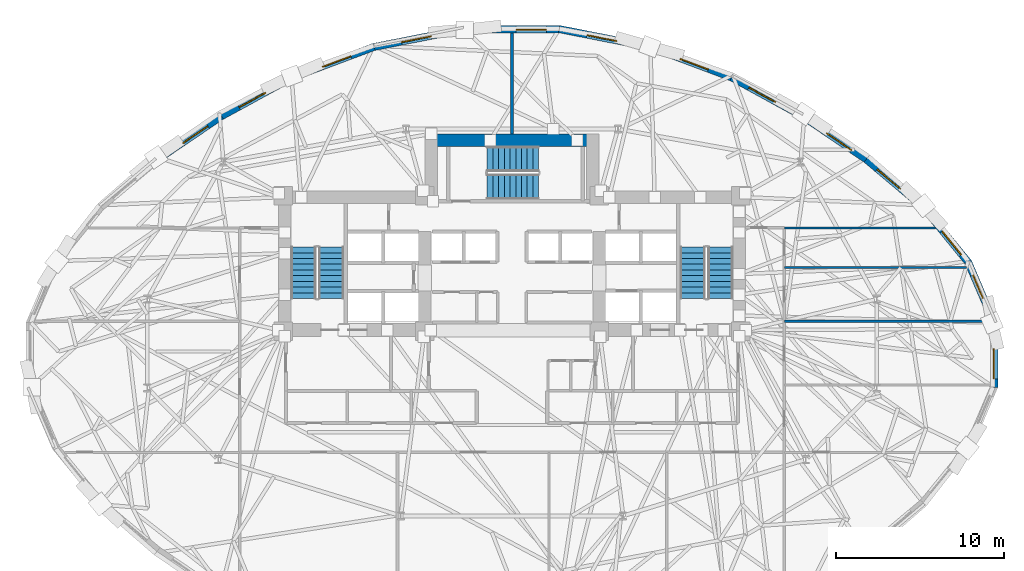
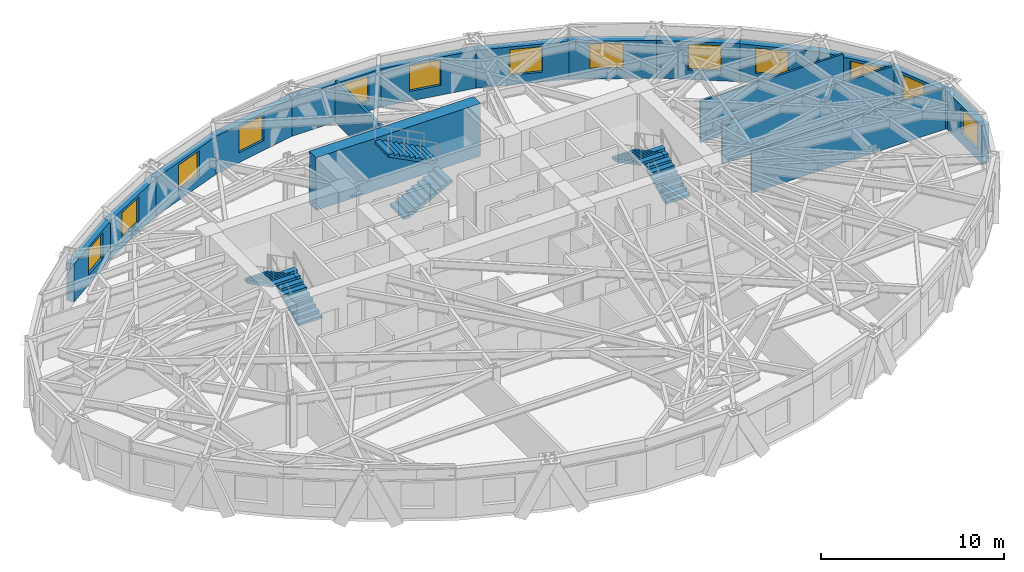
# One storey, part 10 of 14: 18 walls, 13 windows, 6 stair flights, 13 openings, 3 elements without a shape of their own.
"""IFC4 building model written with IfcOpenShell, lengths in metres."""

from ifc_helpers import new_model, si_unit, direction, frame, frame_2d, origin, place, context, subcontext, project, spatial, polyline, rectangle, outline, extrude, material, layer, layer_set, type_object, element, fill, aggregate, save


model = new_model("IFC4")

# Units and contexts
model_context = context("Model", 3, precision=1e-05, world=origin(), true_north=direction((0.0, 1.0)))
body_context = subcontext(model_context, "Body", "Model", "MODEL_VIEW")
ifc_project = project(units=[si_unit("LENGTHUNIT", "METRE"), si_unit("AREAUNIT", "SQUARE_METRE"), si_unit("VOLUMEUNIT", "CUBIC_METRE"), si_unit("PLANEANGLEUNIT", "RADIAN"), si_unit("MASSUNIT", "GRAM", prefix="KILO")], contexts=[model_context])

# Site, building, storey
site_placement = place(None, origin())
site = spatial("IfcSite", under=ifc_project, at=site_placement, CompositionType="ELEMENT")
building_placement = place(site_placement, origin())
building = spatial("IfcBuilding", under=site, at=building_placement, Name="Keldmark Tower", CompositionType="ELEMENT")
storey_placement = place(building_placement, frame((0.0, 0.0, 89.60009765625)))
storey = spatial("IfcBuildingStorey", under=building, at=storey_placement, Name="L23", CompositionType="ELEMENT", Elevation=89.60009765625)

# Walls
ifc_material_1 = material(Name="STC-58 Insulated Tenant Demising Gypsum Partition", Category="gypsum")
ifc_layer_1 = layer(ifc_material_1, 0.175048828125)
ifc_layer_set_1 = layer_set([ifc_layer_1], Name="STC-58 Insulated Tenant Demising Gypsum Partition")
wall_type_1 = type_object("IfcWallType", Name="Demising Suite Partition 175 mm", PredefinedType="PARTITIONING", material=ifc_layer_set_1)
wall_1_placement = place(storey_placement, frame((0.0, 13.14990234375, 0.0), z_axis=(0.0, 0.0, 1.0), x_axis=(0.0, 1.0, 0.0)))
element("IfcWall", 1, at=wall_1_placement, inside=storey, type_object=wall_type_1, Name="L23 Demising Suite Partition 175 mm N-MID-DIV", PredefinedType="PARTITIONING", context=body_context, shape_type="SweptSolid", body=[
    extrude(rectangle(XDim=5.998046875, YDim=0.175048828125, at=frame_2d((2.9990234375, 0.0))), origin(), (0.0, 0.0, 1.0), 2.762939453125),
])
ifc_material_2 = material(Name="Acoustic Gypsum Board Interior Partition", Category="gypsum")
ifc_layer_2 = layer(ifc_material_2, 0.1298828125)
ifc_layer_set_2 = layer_set([ifc_layer_2], Name="Acoustic Gypsum Board Interior Partition")
wall_type_2 = type_object("IfcWallType", Name="Interior Partition 130 mm", PredefinedType="PARTITIONING", material=ifc_layer_set_2)
wall_2_placement = place(storey_placement, frame((16.199951171875, 7.550048828125, 0.0), z_axis=(0.0, 0.0, 1.0), x_axis=(1.0, 0.0, 0.0)))
element("IfcWall", 2, at=wall_2_placement, inside=storey, type_object=wall_type_2, Name="L23 Interior Partition 130 mm E-CAP-N", PredefinedType="PARTITIONING", context=body_context, shape_type="SweptSolid", body=[
    extrude(rectangle(XDim=8.97802734375, YDim=0.1298828125, at=frame_2d((4.489013671875, 0.0))), origin(), (0.0, 0.0, 1.0), 2.762939453125),
])
wall_3_placement = place(storey_placement, frame((16.199951171875, 2.0, 0.0), z_axis=(0.0, 0.0, 1.0), x_axis=(1.0, 0.0, 0.0)))
element("IfcWall", 3, at=wall_3_placement, inside=storey, type_object=wall_type_2, Name="L23 Interior Partition 130 mm E-DIV-2", PredefinedType="PARTITIONING", context=body_context, shape_type="SweptSolid", body=[
    extrude(rectangle(XDim=12.1923828125, YDim=0.1298828125, at=frame_2d((6.09619140625, 0.0))), origin(), (0.0, 0.0, 1.0), 2.7509765625),
])
wall_4_placement = place(storey_placement, frame((16.199951171875, 5.199951171875, 0.0), z_axis=(0.0, 0.0, 1.0), x_axis=(1.0, 0.0, 0.0)))
element("IfcWall", 4, at=wall_4_placement, inside=storey, type_object=wall_type_2, Name="L23 Interior Partition 130 mm E-DIV-3", PredefinedType="PARTITIONING", context=body_context, shape_type="SweptSolid", body=[
    extrude(rectangle(XDim=10.82177734375, YDim=0.1298828125, at=frame_2d((5.410888671875, 0.0))), origin(), (0.0, 0.0, 1.0), 2.762939453125),
])
ifc_material_3 = material(Name="Concrete C70/85", Category="concrete")
ifc_layer_3 = layer(ifc_material_3, 0.75)
ifc_layer_set_3 = layer_set([ifc_layer_3], Name="Concrete C70/85")
wall_type_3 = type_object("IfcWallType", Name="Low-Mid Core Shear Wall 750 mm", PredefinedType="SHEAR", material=ifc_layer_set_3)
wall_5_placement = place(storey_placement, frame((-5.175048828125, 12.77490234375, 0.0), z_axis=(0.0, 0.0, 1.0), x_axis=(1.0, 0.0, 0.0)))
element("IfcWall", 5, at=wall_5_placement, inside=storey, type_object=wall_type_3, Name="L23 North Core Shear Wall", PredefinedType="SHEAR", context=body_context, shape_type="SweptSolid", body=[
    extrude(rectangle(XDim=10.35009765625, YDim=0.75, at=frame_2d((5.175048828125, 0.0))), origin(), (0.0, 0.0, 1.0), 3.5),
])

# Wall, opening, window
ifc_material_4 = material(Name="Ironspot Manganese Brick and Kasota Buff Limestone Spandrel Assembly", Category="masonry")
ifc_layer_4 = layer(ifc_material_4, 0.43994140625)
ifc_layer_set_4 = layer_set([ifc_layer_4], Name="Ironspot Manganese Brick and Kasota Buff Limestone Spandrel Assembly")
wall_type_4 = type_object("IfcWallType", Name="Tower Brick Pier and Spandrel Wall 440 mm", PredefinedType="STANDARD", material=ifc_layer_set_4)
wall_6_placement = place(storey_placement, frame((27.127197265625, 5.53271484375, 0.0), z_axis=(0.0, 0.0, 1.0), x_axis=(0.393757776232, -0.919214237083, 0.0)))
wall_6 = element("IfcWall", 6, at=wall_6_placement, inside=storey, type_object=wall_type_4, Name="L23 Exterior Brick and Spandrel Wall 01", PredefinedType="STANDARD", context=body_context, shape_type="SweptSolid", body=[
    extrude(rectangle(XDim=4.013427734375, YDim=0.43994140625, at=frame_2d((2.0068359375, 0.0))), origin(), (0.0, 0.0, 1.0), 2.52783203125),
])
opening_1_placement = place(wall_6_placement, frame((0.839111328125, 0.0, 0.64990234375)))
opening_1 = element("IfcOpeningElement", 7, at=opening_1_placement, cuts=wall_6, Name="Opening W-03", PredefinedType="OPENING", context=body_context, shape_type="SweptSolid", body=[
    extrude(rectangle(XDim=1.5, YDim=1.699951171875, at=frame_2d((0.75, 0.85009765625))), frame((0.0, 0.22998046875, 0.0), z_axis=(0.0, -1.0, 0.0), x_axis=(1.0, 0.0, 0.0)), (0.0, 0.0, 1.0), 0.4599609375),
])
ifc_material_5 = material(Name="Thermally Broken Anodized Aluminum and Triple Low-E Argon Glazing", Category="aluminium")
window_type_1 = type_object("IfcWindowType", Name="Office Corner Deep-Set Window 1500x1700", PartitioningType="DOUBLE_PANEL_VERTICAL", PredefinedType="WINDOW", material=ifc_material_5)
window_1_placement = place(opening_1_placement, origin())
window_1 = element("IfcWindow", 8, at=window_1_placement, inside=storey, type_object=window_type_1, Name="L23 Deep-Set Window 01", OverallHeight=1.699951171875, OverallWidth=1.5, PartitioningType="SINGLE_PANEL", PredefinedType="WINDOW", context=body_context, shape_type="SweptSolid", body=[
    extrude(rectangle(XDim=1.5, YDim=1.699951171875, at=frame_2d((0.75, 0.85009765625))), frame((0.0, -0.010009765625, 0.0), z_axis=(0.0, -1.0, 0.0), x_axis=(1.0, 0.0, 0.0)), (0.0, 0.0, 1.0), 0.06005859375),
])
fill(opening_1, window_1)

wall_7_placement = place(storey_placement, frame((24.46435546875, 8.78662109375, 0.0), z_axis=(0.0, 0.0, 1.0), x_axis=(0.631768505266, -0.775157116818, 0.0)))
wall_7 = element("IfcWall", 9, at=wall_7_placement, inside=storey, type_object=wall_type_4, Name="L23 Exterior Brick and Spandrel Wall 02", PredefinedType="STANDARD", context=body_context, shape_type="SweptSolid", body=[
    extrude(rectangle(XDim=4.26513671875, YDim=0.43994140625, at=frame_2d((2.132568359375, 0.0))), origin(), (0.0, 0.0, 1.0), 2.52783203125),
])
opening_2_placement = place(wall_7_placement, frame((1.822509765625, 0.0, 0.64990234375)))
opening_2 = element("IfcOpeningElement", 10, at=opening_2_placement, cuts=wall_7, Name="Opening W-02", PredefinedType="OPENING", context=body_context, shape_type="SweptSolid", body=[
    extrude(rectangle(XDim=1.800048828125, YDim=1.699951171875, at=frame_2d((0.89990234375, 0.85009765625))), frame((0.0, 0.22998046875, 0.0), z_axis=(0.0, -1.0, 0.0), x_axis=(1.0, 0.0, 0.0)), (0.0, 0.0, 1.0), 0.4599609375),
])
ifc_material_6 = material(Name="Thermally Broken Anodized Aluminum and Triple Low-E Argon Glazing", Category="aluminium")
window_type_2 = type_object("IfcWindowType", Name="Office Deep-Set Triple Window 1800x1700", PartitioningType="TRIPLE_PANEL_VERTICAL", PredefinedType="WINDOW", material=ifc_material_6)
window_2_placement = place(opening_2_placement, origin())
window_2 = element("IfcWindow", 11, at=window_2_placement, inside=storey, type_object=window_type_2, Name="L23 Deep-Set Window 02", OverallHeight=1.699951171875, OverallWidth=1.800048828125, PartitioningType="SINGLE_PANEL", PredefinedType="WINDOW", context=body_context, shape_type="SweptSolid", body=[
    extrude(rectangle(XDim=1.800048828125, YDim=1.699951171875, at=frame_2d((0.89990234375, 0.85009765625))), frame((0.0, -0.010009765625, 0.0), z_axis=(0.0, -1.0, 0.0), x_axis=(1.0, 0.0, 0.0)), (0.0, 0.0, 1.0), 0.06005859375),
])
fill(opening_2, window_2)

wall_8_placement = place(storey_placement, frame((21.072021484375, 11.63232421875, 0.0), z_axis=(0.0, 0.0, 1.0), x_axis=(0.765563867956, -0.643359902449, 0.0)))
wall_8 = element("IfcWall", 12, at=wall_8_placement, inside=storey, type_object=wall_type_4, Name="L23 Exterior Brick and Spandrel Wall 03", PredefinedType="STANDARD", context=body_context, shape_type="SweptSolid", body=[
    extrude(rectangle(XDim=4.468994140625, YDim=0.43994140625, at=frame_2d((2.234375, 0.0))), origin(), (0.0, 0.0, 1.0), 2.52783203125),
])
opening_3_placement = place(wall_8_placement, frame((0.890625, 0.0, 0.64990234375)))
opening_3 = element("IfcOpeningElement", 13, at=opening_3_placement, cuts=wall_8, Name="Opening W-02", PredefinedType="OPENING", context=body_context, shape_type="SweptSolid", body=[
    extrude(rectangle(XDim=1.800048828125, YDim=1.699951171875, at=frame_2d((0.89990234375, 0.85009765625))), frame((0.0, 0.22998046875, 0.0), z_axis=(0.0, -1.0, 0.0), x_axis=(1.0, 0.0, 0.0)), (0.0, 0.0, 1.0), 0.4599609375),
])
window_3_placement = place(opening_3_placement, origin())
window_3 = element("IfcWindow", 14, at=window_3_placement, inside=storey, type_object=window_type_2, Name="L23 Deep-Set Window 03", OverallHeight=1.699951171875, OverallWidth=1.800048828125, PartitioningType="SINGLE_PANEL", PredefinedType="WINDOW", context=body_context, shape_type="SweptSolid", body=[
    extrude(rectangle(XDim=1.800048828125, YDim=1.699951171875, at=frame_2d((0.89990234375, 0.85009765625))), frame((0.0, -0.010009765625, 0.0), z_axis=(0.0, -1.0, 0.0), x_axis=(1.0, 0.0, 0.0)), (0.0, 0.0, 1.0), 0.06005859375),
])
fill(opening_3, window_3)

wall_9_placement = place(storey_placement, frame((17.2861328125, 14.197265625, 0.0), z_axis=(0.0, 0.0, 1.0), x_axis=(0.827742791179, -0.561107718403, 0.0)))
wall_9 = element("IfcWall", 15, at=wall_9_placement, inside=storey, type_object=wall_type_4, Name="L23 Exterior Brick and Spandrel Wall 04", PredefinedType="STANDARD", context=body_context, shape_type="SweptSolid", body=[
    extrude(rectangle(XDim=4.595458984375, YDim=0.43994140625, at=frame_2d((2.2978515625, 0.0))), origin(), (0.0, 0.0, 1.0), 2.52783203125),
])
opening_4_placement = place(wall_9_placement, frame((1.7470703125, 0.0, 0.64990234375)))
opening_4 = element("IfcOpeningElement", 16, at=opening_4_placement, cuts=wall_9, Name="Opening W-02", PredefinedType="OPENING", context=body_context, shape_type="SweptSolid", body=[
    extrude(rectangle(XDim=1.800048828125, YDim=1.699951171875, at=frame_2d((0.89990234375, 0.85009765625))), frame((0.0, 0.22998046875, 0.0), z_axis=(0.0, -1.0, 0.0), x_axis=(1.0, 0.0, 0.0)), (0.0, 0.0, 1.0), 0.4599609375),
])
window_4_placement = place(opening_4_placement, origin())
window_4 = element("IfcWindow", 17, at=window_4_placement, inside=storey, type_object=window_type_2, Name="L23 Deep-Set Window 04", OverallHeight=1.699951171875, OverallWidth=1.800048828125, PartitioningType="SINGLE_PANEL", PredefinedType="WINDOW", context=body_context, shape_type="SweptSolid", body=[
    extrude(rectangle(XDim=1.800048828125, YDim=1.699951171875, at=frame_2d((0.89990234375, 0.85009765625))), frame((0.0, -0.010009765625, 0.0), z_axis=(0.0, -1.0, 0.0), x_axis=(1.0, 0.0, 0.0)), (0.0, 0.0, 1.0), 0.06005859375),
])
fill(opening_4, window_4)

wall_10_placement = place(storey_placement, frame((13.06201171875, 16.50537109375, 0.0), z_axis=(0.0, 0.0, 1.0), x_axis=(0.877445532469, -0.479676284123, 0.0)))
wall_10 = element("IfcWall", 18, at=wall_10_placement, inside=storey, type_object=wall_type_4, Name="L23 Exterior Brick and Spandrel Wall 05", PredefinedType="STANDARD", context=body_context, shape_type="SweptSolid", body=[
    extrude(rectangle(XDim=4.834716796875, YDim=0.43994140625, at=frame_2d((2.41748046875, 0.0))), origin(), (0.0, 0.0, 1.0), 2.52783203125),
])
opening_5_placement = place(wall_10_placement, frame((1.194091796875, 0.0, 0.64990234375)))
opening_5 = element("IfcOpeningElement", 19, at=opening_5_placement, cuts=wall_10, Name="Opening W-02", PredefinedType="OPENING", context=body_context, shape_type="SweptSolid", body=[
    extrude(rectangle(XDim=1.800048828125, YDim=1.699951171875, at=frame_2d((0.89990234375, 0.85009765625))), frame((0.0, 0.22998046875, 0.0), z_axis=(0.0, -1.0, 0.0), x_axis=(1.0, 0.0, 0.0)), (0.0, 0.0, 1.0), 0.4599609375),
])
window_5_placement = place(opening_5_placement, origin())
window_5 = element("IfcWindow", 20, at=window_5_placement, inside=storey, type_object=window_type_2, Name="L23 Deep-Set Window 05", OverallHeight=1.699951171875, OverallWidth=1.800048828125, PartitioningType="SINGLE_PANEL", PredefinedType="WINDOW", context=body_context, shape_type="SweptSolid", body=[
    extrude(rectangle(XDim=1.800048828125, YDim=1.699951171875, at=frame_2d((0.89990234375, 0.85009765625))), frame((0.0, -0.010009765625, 0.0), z_axis=(0.0, -1.0, 0.0), x_axis=(1.0, 0.0, 0.0)), (0.0, 0.0, 1.0), 0.06005859375),
])
fill(opening_5, window_5)

wall_11_placement = place(storey_placement, frame((8.213134765625, 18.31884765625, 0.0), z_axis=(0.0, 0.0, 1.0), x_axis=(0.936473584013, -0.350738116613, 0.0)))
wall_11 = element("IfcWall", 21, at=wall_11_placement, inside=storey, type_object=wall_type_4, Name="L23 Exterior Brick and Spandrel Wall 06", PredefinedType="STANDARD", context=body_context, shape_type="SweptSolid", body=[
    extrude(rectangle(XDim=5.2080078125, YDim=0.43994140625, at=frame_2d((2.60400390625, 0.0))), origin(), (0.0, 0.0, 1.0), 2.52783203125),
])
opening_6_placement = place(wall_11_placement, frame((1.926025390625, 0.0, 0.64990234375)))
opening_6 = element("IfcOpeningElement", 22, at=opening_6_placement, cuts=wall_11, Name="Opening W-02", PredefinedType="OPENING", context=body_context, shape_type="SweptSolid", body=[
    extrude(rectangle(XDim=1.800048828125, YDim=1.699951171875, at=frame_2d((0.89990234375, 0.85009765625))), frame((0.0, 0.22998046875, 0.0), z_axis=(0.0, -1.0, 0.0), x_axis=(1.0, 0.0, 0.0)), (0.0, 0.0, 1.0), 0.4599609375),
])
window_6_placement = place(opening_6_placement, origin())
window_6 = element("IfcWindow", 23, at=window_6_placement, inside=storey, type_object=window_type_2, Name="L23 Deep-Set Window 06", OverallHeight=1.699951171875, OverallWidth=1.800048828125, PartitioningType="SINGLE_PANEL", PredefinedType="WINDOW", context=body_context, shape_type="SweptSolid", body=[
    extrude(rectangle(XDim=1.800048828125, YDim=1.699951171875, at=frame_2d((0.89990234375, 0.85009765625))), frame((0.0, -0.010009765625, 0.0), z_axis=(0.0, -1.0, 0.0), x_axis=(1.0, 0.0, 0.0)), (0.0, 0.0, 1.0), 0.06005859375),
])
fill(opening_6, window_6)

wall_12_placement = place(storey_placement, frame((2.8046875, 19.3798828125, 0.0), z_axis=(0.0, 0.0, 1.0), x_axis=(0.981185300561, -0.19306839711, 0.0)))
wall_12 = element("IfcWall", 24, at=wall_12_placement, inside=storey, type_object=wall_type_4, Name="L23 Exterior Brick and Spandrel Wall 07", PredefinedType="STANDARD", context=body_context, shape_type="SweptSolid", body=[
    extrude(rectangle(XDim=5.547607421875, YDim=0.43994140625, at=frame_2d((2.77392578125, 0.0))), origin(), (0.0, 0.0, 1.0), 2.52783203125),
])
opening_7_placement = place(wall_12_placement, frame((1.69873046875, 0.0, 0.64990234375)))
opening_7 = element("IfcOpeningElement", 25, at=opening_7_placement, cuts=wall_12, Name="Opening W-02", PredefinedType="OPENING", context=body_context, shape_type="SweptSolid", body=[
    extrude(rectangle(XDim=1.800048828125, YDim=1.699951171875, at=frame_2d((0.89990234375, 0.85009765625))), frame((0.0, 0.22998046875, 0.0), z_axis=(0.0, -1.0, 0.0), x_axis=(1.0, 0.0, 0.0)), (0.0, 0.0, 1.0), 0.4599609375),
])
window_7_placement = place(opening_7_placement, origin())
window_7 = element("IfcWindow", 26, at=window_7_placement, inside=storey, type_object=window_type_2, Name="L23 Deep-Set Window 07", OverallHeight=1.699951171875, OverallWidth=1.800048828125, PartitioningType="SINGLE_PANEL", PredefinedType="WINDOW", context=body_context, shape_type="SweptSolid", body=[
    extrude(rectangle(XDim=1.800048828125, YDim=1.699951171875, at=frame_2d((0.89990234375, 0.85009765625))), frame((0.0, -0.010009765625, 0.0), z_axis=(0.0, -1.0, 0.0), x_axis=(1.0, 0.0, 0.0)), (0.0, 0.0, 1.0), 0.06005859375),
])
fill(opening_7, window_7)

wall_13_placement = place(storey_placement, frame((-2.847412109375, 19.3759765625, 0.0), z_axis=(0.0, 0.0, 1.0), x_axis=(1.0, 0.0, 0.0)))
wall_13 = element("IfcWall", 27, at=wall_13_placement, inside=storey, type_object=wall_type_4, Name="L23 Exterior Brick and Spandrel Wall 08", PredefinedType="STANDARD", context=body_context, shape_type="SweptSolid", body=[
    extrude(rectangle(XDim=5.69482421875, YDim=0.43994140625, at=frame_2d((2.847412109375, 0.0))), origin(), (0.0, 0.0, 1.0), 2.52783203125),
])
opening_8_placement = place(wall_13_placement, frame((3.095458984375, 0.0, 0.64990234375)))
opening_8 = element("IfcOpeningElement", 28, at=opening_8_placement, cuts=wall_13, Name="Opening W-02", PredefinedType="OPENING", context=body_context, shape_type="SweptSolid", body=[
    extrude(rectangle(XDim=1.800048828125, YDim=1.699951171875, at=frame_2d((0.89990234375, 0.85009765625))), frame((0.0, 0.22998046875, 0.0), z_axis=(0.0, -1.0, 0.0), x_axis=(1.0, 0.0, 0.0)), (0.0, 0.0, 1.0), 0.4599609375),
])
window_8_placement = place(opening_8_placement, origin())
window_8 = element("IfcWindow", 29, at=window_8_placement, inside=storey, type_object=window_type_2, Name="L23 Deep-Set Window 08", OverallHeight=1.699951171875, OverallWidth=1.800048828125, PartitioningType="SINGLE_PANEL", PredefinedType="WINDOW", context=body_context, shape_type="SweptSolid", body=[
    extrude(rectangle(XDim=1.800048828125, YDim=1.699951171875, at=frame_2d((0.89990234375, 0.85009765625))), frame((0.0, -0.010009765625, 0.0), z_axis=(0.0, -1.0, 0.0), x_axis=(1.0, 0.0, 0.0)), (0.0, 0.0, 1.0), 0.06005859375),
])
fill(opening_8, window_8)

wall_14_placement = place(storey_placement, frame((-8.247802734375, 18.308837890625, 0.0), z_axis=(0.0, 0.0, 1.0), x_axis=(0.981185300561, 0.19306839711, 0.0)))
wall_14 = element("IfcWall", 30, at=wall_14_placement, inside=storey, type_object=wall_type_4, Name="L23 Exterior Brick and Spandrel Wall 09", PredefinedType="STANDARD", context=body_context, shape_type="SweptSolid", body=[
    extrude(rectangle(XDim=5.547607421875, YDim=0.43994140625, at=frame_2d((2.77392578125, 0.0))), origin(), (0.0, 0.0, 1.0), 2.52783203125),
])
opening_9_placement = place(wall_14_placement, frame((1.69873046875, 0.0, 0.64990234375)))
opening_9 = element("IfcOpeningElement", 31, at=opening_9_placement, cuts=wall_14, Name="Opening W-02", PredefinedType="OPENING", context=body_context, shape_type="SweptSolid", body=[
    extrude(rectangle(XDim=1.800048828125, YDim=1.699951171875, at=frame_2d((0.89990234375, 0.85009765625))), frame((0.0, 0.22998046875, 0.0), z_axis=(0.0, -1.0, 0.0), x_axis=(1.0, 0.0, 0.0)), (0.0, 0.0, 1.0), 0.4599609375),
])
window_9_placement = place(opening_9_placement, origin())
window_9 = element("IfcWindow", 32, at=window_9_placement, inside=storey, type_object=window_type_2, Name="L23 Deep-Set Window 09", OverallHeight=1.699951171875, OverallWidth=1.800048828125, PartitioningType="SINGLE_PANEL", PredefinedType="WINDOW", context=body_context, shape_type="SweptSolid", body=[
    extrude(rectangle(XDim=1.800048828125, YDim=1.699951171875, at=frame_2d((0.89990234375, 0.85009765625))), frame((0.0, -0.010009765625, 0.0), z_axis=(0.0, -1.0, 0.0), x_axis=(1.0, 0.0, 0.0)), (0.0, 0.0, 1.0), 0.06005859375),
])
fill(opening_9, window_9)

wall_15_placement = place(storey_placement, frame((-13.09033203125, 16.4921875, 0.0), z_axis=(0.0, 0.0, 1.0), x_axis=(0.936473584013, 0.350738116613, 0.0)))
wall_15 = element("IfcWall", 33, at=wall_15_placement, inside=storey, type_object=wall_type_4, Name="L23 Exterior Brick and Spandrel Wall 10", PredefinedType="STANDARD", context=body_context, shape_type="SweptSolid", body=[
    extrude(rectangle(XDim=5.2080078125, YDim=0.43994140625, at=frame_2d((2.60400390625, 0.0))), origin(), (0.0, 0.0, 1.0), 2.52783203125),
])
opening_10_placement = place(wall_15_placement, frame((1.926025390625, 0.0, 0.64990234375)))
opening_10 = element("IfcOpeningElement", 34, at=opening_10_placement, cuts=wall_15, Name="Opening W-02", PredefinedType="OPENING", context=body_context, shape_type="SweptSolid", body=[
    extrude(rectangle(XDim=1.800048828125, YDim=1.699951171875, at=frame_2d((0.89990234375, 0.85009765625))), frame((0.0, 0.22998046875, 0.0), z_axis=(0.0, -1.0, 0.0), x_axis=(1.0, 0.0, 0.0)), (0.0, 0.0, 1.0), 0.4599609375),
])
window_10_placement = place(opening_10_placement, origin())
window_10 = element("IfcWindow", 35, at=window_10_placement, inside=storey, type_object=window_type_2, Name="L23 Deep-Set Window 10", OverallHeight=1.699951171875, OverallWidth=1.800048828125, PartitioningType="SINGLE_PANEL", PredefinedType="WINDOW", context=body_context, shape_type="SweptSolid", body=[
    extrude(rectangle(XDim=1.800048828125, YDim=1.699951171875, at=frame_2d((0.89990234375, 0.85009765625))), frame((0.0, -0.010009765625, 0.0), z_axis=(0.0, -1.0, 0.0), x_axis=(1.0, 0.0, 0.0)), (0.0, 0.0, 1.0), 0.06005859375),
])
fill(opening_10, window_10)

wall_16_placement = place(storey_placement, frame((-17.30419921875, 14.186279296875, 0.0), z_axis=(0.0, 0.0, 1.0), x_axis=(0.877445532469, 0.479676284123, 0.0)))
wall_16 = element("IfcWall", 36, at=wall_16_placement, inside=storey, type_object=wall_type_4, Name="L23 Exterior Brick and Spandrel Wall 11", PredefinedType="STANDARD", context=body_context, shape_type="SweptSolid", body=[
    extrude(rectangle(XDim=4.834716796875, YDim=0.43994140625, at=frame_2d((2.41748046875, 0.0))), origin(), (0.0, 0.0, 1.0), 2.52783203125),
])
opening_11_placement = place(wall_16_placement, frame((1.194091796875, 0.0, 0.64990234375)))
opening_11 = element("IfcOpeningElement", 37, at=opening_11_placement, cuts=wall_16, Name="Opening W-02", PredefinedType="OPENING", context=body_context, shape_type="SweptSolid", body=[
    extrude(rectangle(XDim=1.800048828125, YDim=1.699951171875, at=frame_2d((0.89990234375, 0.85009765625))), frame((0.0, 0.22998046875, 0.0), z_axis=(0.0, -1.0, 0.0), x_axis=(1.0, 0.0, 0.0)), (0.0, 0.0, 1.0), 0.4599609375),
])
window_11_placement = place(opening_11_placement, origin())
window_11 = element("IfcWindow", 38, at=window_11_placement, inside=storey, type_object=window_type_2, Name="L23 Deep-Set Window 11", OverallHeight=1.699951171875, OverallWidth=1.800048828125, PartitioningType="SINGLE_PANEL", PredefinedType="WINDOW", context=body_context, shape_type="SweptSolid", body=[
    extrude(rectangle(XDim=1.800048828125, YDim=1.699951171875, at=frame_2d((0.89990234375, 0.85009765625))), frame((0.0, -0.010009765625, 0.0), z_axis=(0.0, -1.0, 0.0), x_axis=(1.0, 0.0, 0.0)), (0.0, 0.0, 1.0), 0.06005859375),
])
fill(opening_11, window_11)

wall_17_placement = place(storey_placement, frame((-21.090087890625, 11.61865234375, 0.0), z_axis=(0.0, 0.0, 1.0), x_axis=(0.827742791179, 0.561107718403, 0.0)))
wall_17 = element("IfcWall", 39, at=wall_17_placement, inside=storey, type_object=wall_type_4, Name="L23 Exterior Brick and Spandrel Wall 12", PredefinedType="STANDARD", context=body_context, shape_type="SweptSolid", body=[
    extrude(rectangle(XDim=4.595458984375, YDim=0.43994140625, at=frame_2d((2.2978515625, 0.0))), origin(), (0.0, 0.0, 1.0), 2.52783203125),
])
opening_12_placement = place(wall_17_placement, frame((1.797119140625, 0.0, 0.64990234375)))
opening_12 = element("IfcOpeningElement", 40, at=opening_12_placement, cuts=wall_17, Name="Opening W-02", PredefinedType="OPENING", context=body_context, shape_type="SweptSolid", body=[
    extrude(rectangle(XDim=1.800048828125, YDim=1.699951171875, at=frame_2d((0.89990234375, 0.85009765625))), frame((0.0, 0.22998046875, 0.0), z_axis=(0.0, -1.0, 0.0), x_axis=(1.0, 0.0, 0.0)), (0.0, 0.0, 1.0), 0.4599609375),
])
window_12_placement = place(opening_12_placement, origin())
window_12 = element("IfcWindow", 41, at=window_12_placement, inside=storey, type_object=window_type_2, Name="L23 Deep-Set Window 12", OverallHeight=1.699951171875, OverallWidth=1.800048828125, PartitioningType="SINGLE_PANEL", PredefinedType="WINDOW", context=body_context, shape_type="SweptSolid", body=[
    extrude(rectangle(XDim=1.800048828125, YDim=1.699951171875, at=frame_2d((0.89990234375, 0.85009765625))), frame((0.0, -0.010009765625, 0.0), z_axis=(0.0, -1.0, 0.0), x_axis=(1.0, 0.0, 0.0)), (0.0, 0.0, 1.0), 0.06005859375),
])
fill(opening_12, window_12)

wall_18_placement = place(storey_placement, frame((28.689697265625, 1.929931640625, 0.0), z_axis=(0.0, 0.0, 1.0), x_axis=(0.0, -1.0, 0.0)))
wall_18 = element("IfcWall", 42, at=wall_18_placement, inside=storey, type_object=wall_type_4, Name="L23 Exterior Brick and Spandrel Wall 32", PredefinedType="STANDARD", context=body_context, shape_type="SweptSolid", body=[
    extrude(rectangle(XDim=3.85986328125, YDim=0.43994140625, at=frame_2d((1.929931640625, 0.0))), origin(), (0.0, 0.0, 1.0), 2.52783203125),
])
opening_13_placement = place(wall_18_placement, frame((1.567138671875, 0.0, 0.64990234375)))
opening_13 = element("IfcOpeningElement", 43, at=opening_13_placement, cuts=wall_18, Name="Opening W-02", PredefinedType="OPENING", context=body_context, shape_type="SweptSolid", body=[
    extrude(rectangle(XDim=1.800048828125, YDim=1.699951171875, at=frame_2d((0.89990234375, 0.85009765625))), frame((0.0, 0.22998046875, 0.0), z_axis=(0.0, -1.0, 0.0), x_axis=(1.0, 0.0, 0.0)), (0.0, 0.0, 1.0), 0.4599609375),
])
window_13_placement = place(opening_13_placement, origin())
window_13 = element("IfcWindow", 44, at=window_13_placement, inside=storey, type_object=window_type_2, Name="L23 Deep-Set Window 32", OverallHeight=1.699951171875, OverallWidth=1.800048828125, PartitioningType="SINGLE_PANEL", PredefinedType="WINDOW", context=body_context, shape_type="SweptSolid", body=[
    extrude(rectangle(XDim=1.800048828125, YDim=1.699951171875, at=frame_2d((0.89990234375, 0.85009765625))), frame((0.0, -0.010009765625, 0.0), z_axis=(0.0, -1.0, 0.0), x_axis=(1.0, 0.0, 0.0)), (0.0, 0.0, 1.0), 0.06005859375),
])
fill(opening_13, window_13)

# Stair, stair flights
ifc_material_7 = material(Name="Concrete C40/50", Category="concrete")
stair_type = type_object("IfcStairType", Name="Precast Concrete Core Exit Stair", PredefinedType="HALF_TURN_STAIR", material=ifc_material_7)
stair_1_placement = place(storey_placement, origin())
stair_1 = element("IfcStair", 45, at=stair_1_placement, inside=storey, type_object=stair_type, Name="L23 Exit Stair ST1", PredefinedType="HALF_TURN_STAIR")
ifc_material_8 = material(Name="Concrete C40/50", Category="concrete")
stair_flight_type = type_object("IfcStairFlightType", Name="Precast Concrete Stair Flight 1500 mm", PredefinedType="STRAIGHT", material=ifc_material_8)
stair_flight_1_placement = place(storey_placement, frame((-10.75, 3.35009765625, 0.0), z_axis=(0.0, 0.0, 1.0), x_axis=(0.0, 1.0, 0.0)))
stair_flight_1 = element("IfcStairFlight", 46, at=stair_flight_1_placement, type_object=stair_flight_type, Name="ST1 flight 1", NumberOfRisers=10, NumberOfTreads=9, PredefinedType="STRAIGHT", RiserHeight=0.175, TreadLength=0.34, context=body_context, shape_type="SweptSolid", body=[
    extrude(outline(polyline([(0.0, 0.0), (0.0, 0.175048828125), (0.340087890625, 0.175048828125), (0.340087890625, 0.35009765625), (0.679931640625, 0.35009765625), (0.679931640625, 0.52490234375), (1.02001953125, 0.52490234375), (1.02001953125, 0.699951171875), (1.360107421875, 0.699951171875), (1.360107421875, 0.875), (1.699951171875, 0.875), (1.699951171875, 1.050048828125), (2.0400390625, 1.050048828125), (2.0400390625, 1.22509765625), (2.3798828125, 1.22509765625), (2.3798828125, 1.39990234375), (2.719970703125, 1.39990234375), (2.719970703125, 1.574951171875), (3.06005859375, 1.574951171875), (3.06005859375, 1.75), (3.06005859375, 1.406494140625), (0.32763671875, 0.0), (0.0, 0.0)])), frame((0.0, 0.75, 0.0), z_axis=(0.0, -1.0, 0.0), x_axis=(1.0, 0.0, 0.0)), (0.0, 0.0, 1.0), 1.5),
])
stair_flight_2_placement = place(storey_placement, frame((-12.39990234375, 6.409912109375, 1.75), z_axis=(0.0, 0.0, 1.0), x_axis=(0.0, -1.0, 0.0)))
stair_flight_2 = element("IfcStairFlight", 47, at=stair_flight_2_placement, type_object=stair_flight_type, Name="ST1 flight 2", NumberOfRisers=10, NumberOfTreads=9, PredefinedType="STRAIGHT", RiserHeight=0.175, TreadLength=0.34, context=body_context, shape_type="SweptSolid", body=[
    extrude(outline(polyline([(0.0, 0.0), (0.0, 0.175048828125), (0.340087890625, 0.175048828125), (0.340087890625, 0.35009765625), (0.679931640625, 0.35009765625), (0.679931640625, 0.52490234375), (1.02001953125, 0.52490234375), (1.02001953125, 0.699951171875), (1.360107421875, 0.699951171875), (1.360107421875, 0.875), (1.699951171875, 0.875), (1.699951171875, 1.050048828125), (2.0400390625, 1.050048828125), (2.0400390625, 1.22509765625), (2.3798828125, 1.22509765625), (2.3798828125, 1.39990234375), (2.719970703125, 1.39990234375), (2.719970703125, 1.574951171875), (3.06005859375, 1.574951171875), (3.06005859375, 1.75), (3.06005859375, 1.406494140625), (0.32763671875, 0.0), (0.0, 0.0)])), frame((0.0, 0.75, 0.0), z_axis=(0.0, -1.0, 0.0), x_axis=(1.0, 0.0, 0.0)), (0.0, 0.0, 1.0), 1.5),
])
aggregate(stair_1, [stair_flight_1, stair_flight_2])

stair_2_placement = place(storey_placement, origin())
stair_2 = element("IfcStair", 48, at=stair_2_placement, inside=storey, type_object=stair_type, Name="L23 Exit Stair ST2", PredefinedType="HALF_TURN_STAIR")
stair_flight_3_placement = place(storey_placement, frame((12.39990234375, 3.35009765625, 0.0), z_axis=(0.0, 0.0, 1.0), x_axis=(0.0, 1.0, 0.0)))
stair_flight_3 = element("IfcStairFlight", 49, at=stair_flight_3_placement, type_object=stair_flight_type, Name="ST2 flight 1", NumberOfRisers=10, NumberOfTreads=9, PredefinedType="STRAIGHT", RiserHeight=0.175, TreadLength=0.34, context=body_context, shape_type="SweptSolid", body=[
    extrude(outline(polyline([(0.0, 0.0), (0.0, 0.175048828125), (0.340087890625, 0.175048828125), (0.340087890625, 0.35009765625), (0.679931640625, 0.35009765625), (0.679931640625, 0.52490234375), (1.02001953125, 0.52490234375), (1.02001953125, 0.699951171875), (1.360107421875, 0.699951171875), (1.360107421875, 0.875), (1.699951171875, 0.875), (1.699951171875, 1.050048828125), (2.0400390625, 1.050048828125), (2.0400390625, 1.22509765625), (2.3798828125, 1.22509765625), (2.3798828125, 1.39990234375), (2.719970703125, 1.39990234375), (2.719970703125, 1.574951171875), (3.06005859375, 1.574951171875), (3.06005859375, 1.75), (3.06005859375, 1.406494140625), (0.32763671875, 0.0), (0.0, 0.0)])), frame((0.0, 0.75, 0.0), z_axis=(0.0, -1.0, 0.0), x_axis=(1.0, 0.0, 0.0)), (0.0, 0.0, 1.0), 1.5),
])
stair_flight_4_placement = place(storey_placement, frame((10.75, 6.409912109375, 1.75), z_axis=(0.0, 0.0, 1.0), x_axis=(0.0, -1.0, 0.0)))
stair_flight_4 = element("IfcStairFlight", 50, at=stair_flight_4_placement, type_object=stair_flight_type, Name="ST2 flight 2", NumberOfRisers=10, NumberOfTreads=9, PredefinedType="STRAIGHT", RiserHeight=0.175, TreadLength=0.34, context=body_context, shape_type="SweptSolid", body=[
    extrude(outline(polyline([(0.0, 0.0), (0.0, 0.175048828125), (0.340087890625, 0.175048828125), (0.340087890625, 0.35009765625), (0.679931640625, 0.35009765625), (0.679931640625, 0.52490234375), (1.02001953125, 0.52490234375), (1.02001953125, 0.699951171875), (1.360107421875, 0.699951171875), (1.360107421875, 0.875), (1.699951171875, 0.875), (1.699951171875, 1.050048828125), (2.0400390625, 1.050048828125), (2.0400390625, 1.22509765625), (2.3798828125, 1.22509765625), (2.3798828125, 1.39990234375), (2.719970703125, 1.39990234375), (2.719970703125, 1.574951171875), (3.06005859375, 1.574951171875), (3.06005859375, 1.75), (3.06005859375, 1.406494140625), (0.32763671875, 0.0), (0.0, 0.0)])), frame((0.0, 0.75, 0.0), z_axis=(0.0, -1.0, 0.0), x_axis=(1.0, 0.0, 0.0)), (0.0, 0.0, 1.0), 1.5),
])
aggregate(stair_2, [stair_flight_3, stair_flight_4])

stair_3_placement = place(storey_placement, origin())
stair_3 = element("IfcStair", 51, at=stair_3_placement, inside=storey, type_object=stair_type, Name="L23 Exit Stair ST3", PredefinedType="HALF_TURN_STAIR")
stair_flight_5_placement = place(storey_placement, frame((-1.47509765625, 10.0, 0.0), z_axis=(0.0, 0.0, 1.0), x_axis=(1.0, 0.0, 0.0)))
stair_flight_5 = element("IfcStairFlight", 52, at=stair_flight_5_placement, type_object=stair_flight_type, Name="ST3 flight 1", NumberOfRisers=10, NumberOfTreads=9, PredefinedType="STRAIGHT", RiserHeight=0.175, TreadLength=0.34, context=body_context, shape_type="SweptSolid", body=[
    extrude(outline(polyline([(0.0, 0.0), (0.0, 0.175048828125), (0.340087890625, 0.175048828125), (0.340087890625, 0.35009765625), (0.679931640625, 0.35009765625), (0.679931640625, 0.52490234375), (1.02001953125, 0.52490234375), (1.02001953125, 0.699951171875), (1.360107421875, 0.699951171875), (1.360107421875, 0.875), (1.699951171875, 0.875), (1.699951171875, 1.050048828125), (2.0400390625, 1.050048828125), (2.0400390625, 1.22509765625), (2.3798828125, 1.22509765625), (2.3798828125, 1.39990234375), (2.719970703125, 1.39990234375), (2.719970703125, 1.574951171875), (3.06005859375, 1.574951171875), (3.06005859375, 1.75), (3.06005859375, 1.406494140625), (0.32763671875, 0.0), (0.0, 0.0)])), frame((0.0, 0.75, 0.0), z_axis=(0.0, -1.0, 0.0), x_axis=(1.0, 0.0, 0.0)), (0.0, 0.0, 1.0), 1.5),
])
stair_flight_6_placement = place(storey_placement, frame((1.5849609375, 11.64990234375, 1.75), z_axis=(0.0, 0.0, 1.0), x_axis=(-1.0, 0.0, 0.0)))
stair_flight_6 = element("IfcStairFlight", 53, at=stair_flight_6_placement, type_object=stair_flight_type, Name="ST3 flight 2", NumberOfRisers=10, NumberOfTreads=9, PredefinedType="STRAIGHT", RiserHeight=0.175, TreadLength=0.34, context=body_context, shape_type="SweptSolid", body=[
    extrude(outline(polyline([(0.0, 0.0), (0.0, 0.175048828125), (0.340087890625, 0.175048828125), (0.340087890625, 0.35009765625), (0.679931640625, 0.35009765625), (0.679931640625, 0.52490234375), (1.02001953125, 0.52490234375), (1.02001953125, 0.699951171875), (1.360107421875, 0.699951171875), (1.360107421875, 0.875), (1.699951171875, 0.875), (1.699951171875, 1.050048828125), (2.0400390625, 1.050048828125), (2.0400390625, 1.22509765625), (2.3798828125, 1.22509765625), (2.3798828125, 1.39990234375), (2.719970703125, 1.39990234375), (2.719970703125, 1.574951171875), (3.06005859375, 1.574951171875), (3.06005859375, 1.75), (3.06005859375, 1.406494140625), (0.32763671875, 0.0), (0.0, 0.0)])), frame((0.0, 0.75, 0.0), z_axis=(0.0, -1.0, 0.0), x_axis=(1.0, 0.0, 0.0)), (0.0, 0.0, 1.0), 1.5),
])
aggregate(stair_3, [stair_flight_5, stair_flight_6])

save(model, "model.ifc")
